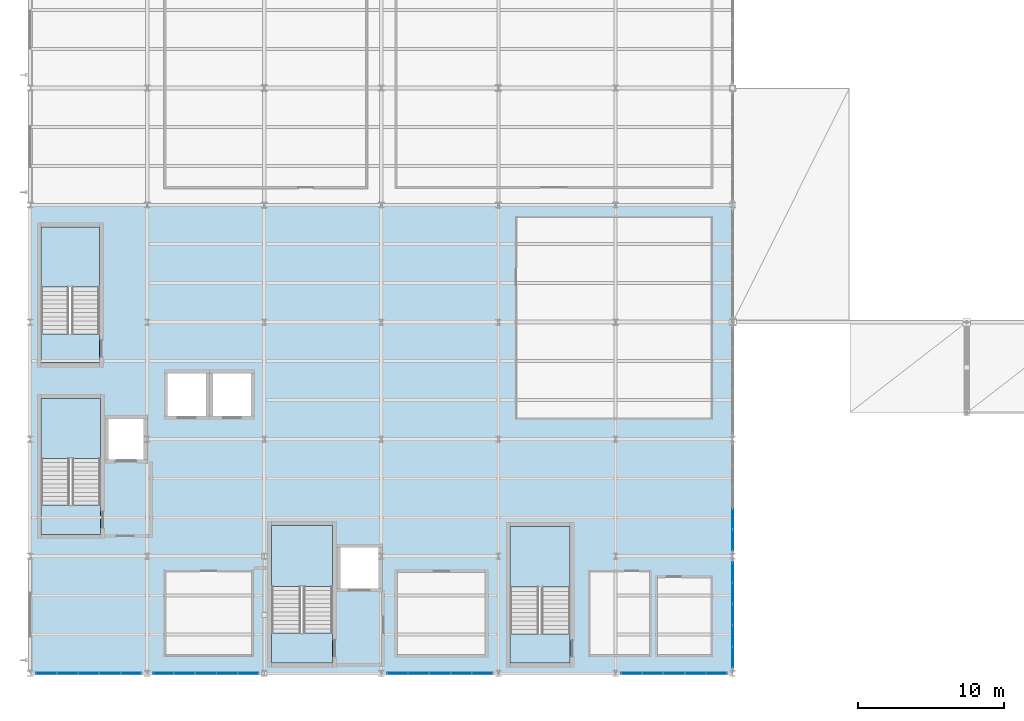
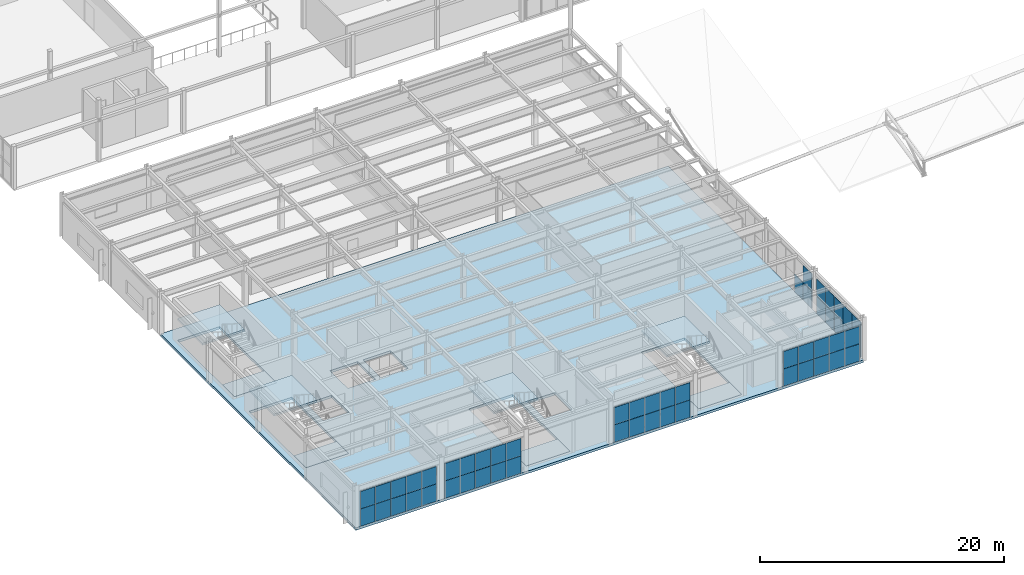
# One storey, part 46 of 83: 53 plates, 9 slabs, 10 elements without a shape of their own.
"""IFC4 building model written with IfcOpenShell, lengths in metres."""

from ifc_helpers import new_model, si_unit, direction, frame, origin, origin_2d, place, context, subcontext, project, spatial, polyline, rectangle, outline, extrude, material, layer, layer_set, type_object, element, aggregate, save


model = new_model("IFC4")

# Units and contexts
model_context = context("Model", 3, precision=1e-05, world=origin(), true_north=direction((0.0, 1.0)))
body_context = subcontext(model_context, "Body", "Model", "MODEL_VIEW")
ifc_project = project(units=[si_unit("LENGTHUNIT", "METRE"), si_unit("AREAUNIT", "SQUARE_METRE"), si_unit("VOLUMEUNIT", "CUBIC_METRE"), si_unit("PLANEANGLEUNIT", "RADIAN"), si_unit("MASSUNIT", "GRAM", prefix="KILO")], contexts=[model_context])

# Site, building, storey
site_placement = place(None, origin())
site = spatial("IfcSite", under=ifc_project, at=site_placement, CompositionType="ELEMENT")
building_placement = place(site_placement, origin())
building = spatial("IfcBuilding", under=site, at=building_placement, Name="Drelvath Fold Interchange", CompositionType="ELEMENT")
storey_placement = place(building_placement, frame((0.0, 0.0, 11.199951171875)))
storey = spatial("IfcBuildingStorey", under=building, at=storey_placement, Name="L02", CompositionType="ELEMENT", Elevation=11.199951171875)

# Curtain wall, plates
ifc_material_1 = material(Name="Anodized Aluminium 6063-T6", Category="aluminium")
curtain_wall_type = type_object("IfcCurtainWallType", Name="CW-OPS-UPP", PredefinedType="USERDEFINED", material=ifc_material_1)
curtain_wall_1_placement = place(storey_placement, origin())
curtain_wall_1 = element("IfcCurtainWall", 1, at=curtain_wall_1_placement, inside=storey, type_object=curtain_wall_type, Name="Curtain wall CW-V5-L02-S4", ObjectType="UNITISED CURTAIN WALL", PredefinedType="USERDEFINED")
ifc_material_2 = material(Name="Low-Iron Insulated Laminated Glass", Category="glass")
ifc_layer_1 = layer(ifc_material_2, 0.068115234375, Name="Low-Iron Insulated Laminated Glass")
ifc_layer_set_1 = layer_set([ifc_layer_1], Name="Low-Iron Insulated Laminated Glass")
plate_type = type_object("IfcPlateType", Name="CP-OPS-A", PredefinedType="CURTAIN_PANEL", material=ifc_layer_set_1)
plate_1_placement = place(storey_placement, frame((5.10791015625, 3.0, 0.03955078125), z_axis=(0.0, 0.0, 1.0), x_axis=(1.0, 0.0, 0.0)))
plate_1 = element("IfcPlate", 2, at=plate_1_placement, type_object=plate_type, Name="CW-V5-L02-S4 glazed panel 0-0", PredefinedType="CURTAIN_PANEL", context=body_context, shape_type="SweptSolid", body=[
    extrude(rectangle(XDim=1.39599609375, YDim=0.068115234375, at=origin_2d()), origin(), (0.0, 0.0, 1.0), 1.72509765625),
])
plate_2_placement = place(storey_placement, frame((5.10791015625, 3.0, 1.785400390625), z_axis=(0.0, 0.0, 1.0), x_axis=(1.0, 0.0, 0.0)))
plate_2 = element("IfcPlate", 3, at=plate_2_placement, type_object=plate_type, Name="CW-V5-L02-S4 glazed panel 0-1", PredefinedType="CURTAIN_PANEL", context=body_context, shape_type="SweptSolid", body=[
    extrude(rectangle(XDim=1.39599609375, YDim=0.068115234375, at=origin_2d()), origin(), (0.0, 0.0, 1.0), 1.72509765625),
])
plate_3_placement = place(storey_placement, frame((6.5439453125, 3.0, 0.03955078125), z_axis=(0.0, 0.0, 1.0), x_axis=(1.0, 0.0, 0.0)))
plate_3 = element("IfcPlate", 4, at=plate_3_placement, type_object=plate_type, Name="CW-V5-L02-S4 glazed panel 1-0", PredefinedType="CURTAIN_PANEL", context=body_context, shape_type="SweptSolid", body=[
    extrude(rectangle(XDim=1.43603515625, YDim=0.068115234375, at=origin_2d()), origin(), (0.0, 0.0, 1.0), 1.72509765625),
])
plate_4_placement = place(storey_placement, frame((6.5439453125, 3.0, 1.785400390625), z_axis=(0.0, 0.0, 1.0), x_axis=(1.0, 0.0, 0.0)))
plate_4 = element("IfcPlate", 5, at=plate_4_placement, type_object=plate_type, Name="CW-V5-L02-S4 glazed panel 1-1", PredefinedType="CURTAIN_PANEL", context=body_context, shape_type="SweptSolid", body=[
    extrude(rectangle(XDim=1.43603515625, YDim=0.068115234375, at=origin_2d()), origin(), (0.0, 0.0, 1.0), 1.72509765625),
])
plate_5_placement = place(storey_placement, frame((8.0, 3.0, 0.03955078125), z_axis=(0.0, 0.0, 1.0), x_axis=(1.0, 0.0, 0.0)))
plate_5 = element("IfcPlate", 6, at=plate_5_placement, type_object=plate_type, Name="CW-V5-L02-S4 glazed panel 2-0", PredefinedType="CURTAIN_PANEL", context=body_context, shape_type="SweptSolid", body=[
    extrude(rectangle(XDim=1.43603515625, YDim=0.068115234375, at=origin_2d()), origin(), (0.0, 0.0, 1.0), 1.72509765625),
])
plate_6_placement = place(storey_placement, frame((8.0, 3.0, 1.785400390625), z_axis=(0.0, 0.0, 1.0), x_axis=(1.0, 0.0, 0.0)))
plate_6 = element("IfcPlate", 7, at=plate_6_placement, type_object=plate_type, Name="CW-V5-L02-S4 glazed panel 2-1", PredefinedType="CURTAIN_PANEL", context=body_context, shape_type="SweptSolid", body=[
    extrude(rectangle(XDim=1.43603515625, YDim=0.068115234375, at=origin_2d()), origin(), (0.0, 0.0, 1.0), 1.72509765625),
])
plate_7_placement = place(storey_placement, frame((9.4560546875, 3.0, 0.03955078125), z_axis=(0.0, 0.0, 1.0), x_axis=(1.0, 0.0, 0.0)))
plate_7 = element("IfcPlate", 8, at=plate_7_placement, type_object=plate_type, Name="CW-V5-L02-S4 glazed panel 3-0", PredefinedType="CURTAIN_PANEL", context=body_context, shape_type="SweptSolid", body=[
    extrude(rectangle(XDim=1.43603515625, YDim=0.068115234375, at=origin_2d()), origin(), (0.0, 0.0, 1.0), 1.72509765625),
])
plate_8_placement = place(storey_placement, frame((9.4560546875, 3.0, 1.785400390625), z_axis=(0.0, 0.0, 1.0), x_axis=(1.0, 0.0, 0.0)))
plate_8 = element("IfcPlate", 9, at=plate_8_placement, type_object=plate_type, Name="CW-V5-L02-S4 glazed panel 3-1", PredefinedType="CURTAIN_PANEL", context=body_context, shape_type="SweptSolid", body=[
    extrude(rectangle(XDim=1.43603515625, YDim=0.068115234375, at=origin_2d()), origin(), (0.0, 0.0, 1.0), 1.72509765625),
])
plate_9_placement = place(storey_placement, frame((10.89208984375, 3.0, 0.03955078125), z_axis=(0.0, 0.0, 1.0), x_axis=(1.0, 0.0, 0.0)))
plate_9 = element("IfcPlate", 10, at=plate_9_placement, type_object=plate_type, Name="CW-V5-L02-S4 glazed panel 4-0", PredefinedType="CURTAIN_PANEL", context=body_context, shape_type="SweptSolid", body=[
    extrude(rectangle(XDim=1.39599609375, YDim=0.068115234375, at=origin_2d()), origin(), (0.0, 0.0, 1.0), 1.72509765625),
])
plate_10_placement = place(storey_placement, frame((10.89208984375, 3.0, 1.785400390625), z_axis=(0.0, 0.0, 1.0), x_axis=(1.0, 0.0, 0.0)))
plate_10 = element("IfcPlate", 11, at=plate_10_placement, type_object=plate_type, Name="CW-V5-L02-S4 glazed panel 4-1", PredefinedType="CURTAIN_PANEL", context=body_context, shape_type="SweptSolid", body=[
    extrude(rectangle(XDim=1.39599609375, YDim=0.068115234375, at=origin_2d()), origin(), (0.0, 0.0, 1.0), 1.72509765625),
])
aggregate(curtain_wall_1, [plate_1, plate_2, plate_3, plate_4, plate_5, plate_6, plate_7, plate_8, plate_9, plate_10])

curtain_wall_2_placement = place(storey_placement, origin())
curtain_wall_2 = element("IfcCurtainWall", 12, at=curtain_wall_2_placement, inside=storey, type_object=curtain_wall_type, Name="Curtain wall CW-V5-L02-S12", ObjectType="UNITISED CURTAIN WALL", PredefinedType="USERDEFINED")
plate_11_placement = place(storey_placement, frame((13.10791015625, 3.0, 0.03955078125), z_axis=(0.0, 0.0, 1.0), x_axis=(1.0, 0.0, 0.0)))
plate_11 = element("IfcPlate", 13, at=plate_11_placement, type_object=plate_type, Name="CW-V5-L02-S12 glazed panel 0-0", PredefinedType="CURTAIN_PANEL", context=body_context, shape_type="SweptSolid", body=[
    extrude(rectangle(XDim=1.39599609375, YDim=0.068115234375, at=origin_2d()), origin(), (0.0, 0.0, 1.0), 1.72509765625),
])
plate_12_placement = place(storey_placement, frame((13.10791015625, 3.0, 1.785400390625), z_axis=(0.0, 0.0, 1.0), x_axis=(1.0, 0.0, 0.0)))
plate_12 = element("IfcPlate", 14, at=plate_12_placement, type_object=plate_type, Name="CW-V5-L02-S12 glazed panel 0-1", PredefinedType="CURTAIN_PANEL", context=body_context, shape_type="SweptSolid", body=[
    extrude(rectangle(XDim=1.39599609375, YDim=0.068115234375, at=origin_2d()), origin(), (0.0, 0.0, 1.0), 1.72509765625),
])
plate_13_placement = place(storey_placement, frame((14.5439453125, 3.0, 0.03955078125), z_axis=(0.0, 0.0, 1.0), x_axis=(1.0, 0.0, 0.0)))
plate_13 = element("IfcPlate", 15, at=plate_13_placement, type_object=plate_type, Name="CW-V5-L02-S12 glazed panel 1-0", PredefinedType="CURTAIN_PANEL", context=body_context, shape_type="SweptSolid", body=[
    extrude(rectangle(XDim=1.43603515625, YDim=0.068115234375, at=origin_2d()), origin(), (0.0, 0.0, 1.0), 1.72509765625),
])
plate_14_placement = place(storey_placement, frame((14.5439453125, 3.0, 1.785400390625), z_axis=(0.0, 0.0, 1.0), x_axis=(1.0, 0.0, 0.0)))
plate_14 = element("IfcPlate", 16, at=plate_14_placement, type_object=plate_type, Name="CW-V5-L02-S12 glazed panel 1-1", PredefinedType="CURTAIN_PANEL", context=body_context, shape_type="SweptSolid", body=[
    extrude(rectangle(XDim=1.43603515625, YDim=0.068115234375, at=origin_2d()), origin(), (0.0, 0.0, 1.0), 1.72509765625),
])
plate_15_placement = place(storey_placement, frame((16.0, 3.0, 0.03955078125), z_axis=(0.0, 0.0, 1.0), x_axis=(1.0, 0.0, 0.0)))
plate_15 = element("IfcPlate", 17, at=plate_15_placement, type_object=plate_type, Name="CW-V5-L02-S12 glazed panel 2-0", PredefinedType="CURTAIN_PANEL", context=body_context, shape_type="SweptSolid", body=[
    extrude(rectangle(XDim=1.43603515625, YDim=0.068115234375, at=origin_2d()), origin(), (0.0, 0.0, 1.0), 1.72509765625),
])
plate_16_placement = place(storey_placement, frame((16.0, 3.0, 1.785400390625), z_axis=(0.0, 0.0, 1.0), x_axis=(1.0, 0.0, 0.0)))
plate_16 = element("IfcPlate", 18, at=plate_16_placement, type_object=plate_type, Name="CW-V5-L02-S12 glazed panel 2-1", PredefinedType="CURTAIN_PANEL", context=body_context, shape_type="SweptSolid", body=[
    extrude(rectangle(XDim=1.43603515625, YDim=0.068115234375, at=origin_2d()), origin(), (0.0, 0.0, 1.0), 1.72509765625),
])
plate_17_placement = place(storey_placement, frame((17.4560546875, 3.0, 0.03955078125), z_axis=(0.0, 0.0, 1.0), x_axis=(1.0, 0.0, 0.0)))
plate_17 = element("IfcPlate", 19, at=plate_17_placement, type_object=plate_type, Name="CW-V5-L02-S12 glazed panel 3-0", PredefinedType="CURTAIN_PANEL", context=body_context, shape_type="SweptSolid", body=[
    extrude(rectangle(XDim=1.43603515625, YDim=0.068115234375, at=origin_2d()), origin(), (0.0, 0.0, 1.0), 1.72509765625),
])
plate_18_placement = place(storey_placement, frame((17.4560546875, 3.0, 1.785400390625), z_axis=(0.0, 0.0, 1.0), x_axis=(1.0, 0.0, 0.0)))
plate_18 = element("IfcPlate", 20, at=plate_18_placement, type_object=plate_type, Name="CW-V5-L02-S12 glazed panel 3-1", PredefinedType="CURTAIN_PANEL", context=body_context, shape_type="SweptSolid", body=[
    extrude(rectangle(XDim=1.43603515625, YDim=0.068115234375, at=origin_2d()), origin(), (0.0, 0.0, 1.0), 1.72509765625),
])
plate_19_placement = place(storey_placement, frame((18.89208984375, 3.0, 0.03955078125), z_axis=(0.0, 0.0, 1.0), x_axis=(1.0, 0.0, 0.0)))
plate_19 = element("IfcPlate", 21, at=plate_19_placement, type_object=plate_type, Name="CW-V5-L02-S12 glazed panel 4-0", PredefinedType="CURTAIN_PANEL", context=body_context, shape_type="SweptSolid", body=[
    extrude(rectangle(XDim=1.39599609375, YDim=0.068115234375, at=origin_2d()), origin(), (0.0, 0.0, 1.0), 1.72509765625),
])
plate_20_placement = place(storey_placement, frame((18.89208984375, 3.0, 1.785400390625), z_axis=(0.0, 0.0, 1.0), x_axis=(1.0, 0.0, 0.0)))
plate_20 = element("IfcPlate", 22, at=plate_20_placement, type_object=plate_type, Name="CW-V5-L02-S12 glazed panel 4-1", PredefinedType="CURTAIN_PANEL", context=body_context, shape_type="SweptSolid", body=[
    extrude(rectangle(XDim=1.39599609375, YDim=0.068115234375, at=origin_2d()), origin(), (0.0, 0.0, 1.0), 1.72509765625),
])
aggregate(curtain_wall_2, [plate_11, plate_12, plate_13, plate_14, plate_15, plate_16, plate_17, plate_18, plate_19, plate_20])

curtain_wall_3_placement = place(storey_placement, origin())
curtain_wall_3 = element("IfcCurtainWall", 23, at=curtain_wall_3_placement, inside=storey, type_object=curtain_wall_type, Name="Curtain wall CW-V5-L02-S28", ObjectType="UNITISED CURTAIN WALL", PredefinedType="USERDEFINED")
plate_21_placement = place(storey_placement, frame((29.10791015625, 3.0, 0.03955078125), z_axis=(0.0, 0.0, 1.0), x_axis=(1.0, 0.0, 0.0)))
plate_21 = element("IfcPlate", 24, at=plate_21_placement, type_object=plate_type, Name="CW-V5-L02-S28 glazed panel 0-0", PredefinedType="CURTAIN_PANEL", context=body_context, shape_type="SweptSolid", body=[
    extrude(rectangle(XDim=1.39599609375, YDim=0.068115234375, at=origin_2d()), origin(), (0.0, 0.0, 1.0), 1.72509765625),
])
plate_22_placement = place(storey_placement, frame((29.10791015625, 3.0, 1.785400390625), z_axis=(0.0, 0.0, 1.0), x_axis=(1.0, 0.0, 0.0)))
plate_22 = element("IfcPlate", 25, at=plate_22_placement, type_object=plate_type, Name="CW-V5-L02-S28 glazed panel 0-1", PredefinedType="CURTAIN_PANEL", context=body_context, shape_type="SweptSolid", body=[
    extrude(rectangle(XDim=1.39599609375, YDim=0.068115234375, at=origin_2d()), origin(), (0.0, 0.0, 1.0), 1.72509765625),
])
plate_23_placement = place(storey_placement, frame((30.5439453125, 3.0, 0.03955078125), z_axis=(0.0, 0.0, 1.0), x_axis=(1.0, 0.0, 0.0)))
plate_23 = element("IfcPlate", 26, at=plate_23_placement, type_object=plate_type, Name="CW-V5-L02-S28 glazed panel 1-0", PredefinedType="CURTAIN_PANEL", context=body_context, shape_type="SweptSolid", body=[
    extrude(rectangle(XDim=1.43603515625, YDim=0.068115234375, at=origin_2d()), origin(), (0.0, 0.0, 1.0), 1.72509765625),
])
plate_24_placement = place(storey_placement, frame((30.5439453125, 3.0, 1.785400390625), z_axis=(0.0, 0.0, 1.0), x_axis=(1.0, 0.0, 0.0)))
plate_24 = element("IfcPlate", 27, at=plate_24_placement, type_object=plate_type, Name="CW-V5-L02-S28 glazed panel 1-1", PredefinedType="CURTAIN_PANEL", context=body_context, shape_type="SweptSolid", body=[
    extrude(rectangle(XDim=1.43603515625, YDim=0.068115234375, at=origin_2d()), origin(), (0.0, 0.0, 1.0), 1.72509765625),
])
plate_25_placement = place(storey_placement, frame((32.0, 3.0, 0.03955078125), z_axis=(0.0, 0.0, 1.0), x_axis=(1.0, 0.0, 0.0)))
plate_25 = element("IfcPlate", 28, at=plate_25_placement, type_object=plate_type, Name="CW-V5-L02-S28 glazed panel 2-0", PredefinedType="CURTAIN_PANEL", context=body_context, shape_type="SweptSolid", body=[
    extrude(rectangle(XDim=1.43603515625, YDim=0.068115234375, at=origin_2d()), origin(), (0.0, 0.0, 1.0), 1.72509765625),
])
plate_26_placement = place(storey_placement, frame((32.0, 3.0, 1.785400390625), z_axis=(0.0, 0.0, 1.0), x_axis=(1.0, 0.0, 0.0)))
plate_26 = element("IfcPlate", 29, at=plate_26_placement, type_object=plate_type, Name="CW-V5-L02-S28 glazed panel 2-1", PredefinedType="CURTAIN_PANEL", context=body_context, shape_type="SweptSolid", body=[
    extrude(rectangle(XDim=1.43603515625, YDim=0.068115234375, at=origin_2d()), origin(), (0.0, 0.0, 1.0), 1.72509765625),
])
plate_27_placement = place(storey_placement, frame((33.4560546875, 3.0, 0.03955078125), z_axis=(0.0, 0.0, 1.0), x_axis=(1.0, 0.0, 0.0)))
plate_27 = element("IfcPlate", 30, at=plate_27_placement, type_object=plate_type, Name="CW-V5-L02-S28 glazed panel 3-0", PredefinedType="CURTAIN_PANEL", context=body_context, shape_type="SweptSolid", body=[
    extrude(rectangle(XDim=1.43603515625, YDim=0.068115234375, at=origin_2d()), origin(), (0.0, 0.0, 1.0), 1.72509765625),
])
plate_28_placement = place(storey_placement, frame((33.4560546875, 3.0, 1.785400390625), z_axis=(0.0, 0.0, 1.0), x_axis=(1.0, 0.0, 0.0)))
plate_28 = element("IfcPlate", 31, at=plate_28_placement, type_object=plate_type, Name="CW-V5-L02-S28 glazed panel 3-1", PredefinedType="CURTAIN_PANEL", context=body_context, shape_type="SweptSolid", body=[
    extrude(rectangle(XDim=1.43603515625, YDim=0.068115234375, at=origin_2d()), origin(), (0.0, 0.0, 1.0), 1.72509765625),
])
plate_29_placement = place(storey_placement, frame((34.89208984375, 3.0, 0.03955078125), z_axis=(0.0, 0.0, 1.0), x_axis=(1.0, 0.0, 0.0)))
plate_29 = element("IfcPlate", 32, at=plate_29_placement, type_object=plate_type, Name="CW-V5-L02-S28 glazed panel 4-0", PredefinedType="CURTAIN_PANEL", context=body_context, shape_type="SweptSolid", body=[
    extrude(rectangle(XDim=1.39599609375, YDim=0.068115234375, at=origin_2d()), origin(), (0.0, 0.0, 1.0), 1.72509765625),
])
plate_30_placement = place(storey_placement, frame((34.89208984375, 3.0, 1.785400390625), z_axis=(0.0, 0.0, 1.0), x_axis=(1.0, 0.0, 0.0)))
plate_30 = element("IfcPlate", 33, at=plate_30_placement, type_object=plate_type, Name="CW-V5-L02-S28 glazed panel 4-1", PredefinedType="CURTAIN_PANEL", context=body_context, shape_type="SweptSolid", body=[
    extrude(rectangle(XDim=1.39599609375, YDim=0.068115234375, at=origin_2d()), origin(), (0.0, 0.0, 1.0), 1.72509765625),
])
aggregate(curtain_wall_3, [plate_21, plate_22, plate_23, plate_24, plate_25, plate_26, plate_27, plate_28, plate_29, plate_30])

curtain_wall_4_placement = place(storey_placement, origin())
curtain_wall_4 = element("IfcCurtainWall", 34, at=curtain_wall_4_placement, inside=storey, type_object=curtain_wall_type, Name="Curtain wall CW-V5-L02-S44", ObjectType="UNITISED CURTAIN WALL", PredefinedType="USERDEFINED")
plate_31_placement = place(storey_placement, frame((45.10791015625, 3.0, 0.03955078125), z_axis=(0.0, 0.0, 1.0), x_axis=(1.0, 0.0, 0.0)))
plate_31 = element("IfcPlate", 35, at=plate_31_placement, type_object=plate_type, Name="CW-V5-L02-S44 glazed panel 0-0", PredefinedType="CURTAIN_PANEL", context=body_context, shape_type="SweptSolid", body=[
    extrude(rectangle(XDim=1.39599609375, YDim=0.068115234375, at=origin_2d()), origin(), (0.0, 0.0, 1.0), 1.72509765625),
])
plate_32_placement = place(storey_placement, frame((45.10791015625, 3.0, 1.785400390625), z_axis=(0.0, 0.0, 1.0), x_axis=(1.0, 0.0, 0.0)))
plate_32 = element("IfcPlate", 36, at=plate_32_placement, type_object=plate_type, Name="CW-V5-L02-S44 glazed panel 0-1", PredefinedType="CURTAIN_PANEL", context=body_context, shape_type="SweptSolid", body=[
    extrude(rectangle(XDim=1.39599609375, YDim=0.068115234375, at=origin_2d()), origin(), (0.0, 0.0, 1.0), 1.72509765625),
])
plate_33_placement = place(storey_placement, frame((46.5439453125, 3.0, 0.03955078125), z_axis=(0.0, 0.0, 1.0), x_axis=(1.0, 0.0, 0.0)))
plate_33 = element("IfcPlate", 37, at=plate_33_placement, type_object=plate_type, Name="CW-V5-L02-S44 glazed panel 1-0", PredefinedType="CURTAIN_PANEL", context=body_context, shape_type="SweptSolid", body=[
    extrude(rectangle(XDim=1.43603515625, YDim=0.068115234375, at=origin_2d()), origin(), (0.0, 0.0, 1.0), 1.72509765625),
])
plate_34_placement = place(storey_placement, frame((46.5439453125, 3.0, 1.785400390625), z_axis=(0.0, 0.0, 1.0), x_axis=(1.0, 0.0, 0.0)))
plate_34 = element("IfcPlate", 38, at=plate_34_placement, type_object=plate_type, Name="CW-V5-L02-S44 glazed panel 1-1", PredefinedType="CURTAIN_PANEL", context=body_context, shape_type="SweptSolid", body=[
    extrude(rectangle(XDim=1.43603515625, YDim=0.068115234375, at=origin_2d()), origin(), (0.0, 0.0, 1.0), 1.72509765625),
])
plate_35_placement = place(storey_placement, frame((48.0, 3.0, 0.03955078125), z_axis=(0.0, 0.0, 1.0), x_axis=(1.0, 0.0, 0.0)))
plate_35 = element("IfcPlate", 39, at=plate_35_placement, type_object=plate_type, Name="CW-V5-L02-S44 glazed panel 2-0", PredefinedType="CURTAIN_PANEL", context=body_context, shape_type="SweptSolid", body=[
    extrude(rectangle(XDim=1.43603515625, YDim=0.068115234375, at=origin_2d()), origin(), (0.0, 0.0, 1.0), 1.72509765625),
])
plate_36_placement = place(storey_placement, frame((48.0, 3.0, 1.785400390625), z_axis=(0.0, 0.0, 1.0), x_axis=(1.0, 0.0, 0.0)))
plate_36 = element("IfcPlate", 40, at=plate_36_placement, type_object=plate_type, Name="CW-V5-L02-S44 glazed panel 2-1", PredefinedType="CURTAIN_PANEL", context=body_context, shape_type="SweptSolid", body=[
    extrude(rectangle(XDim=1.43603515625, YDim=0.068115234375, at=origin_2d()), origin(), (0.0, 0.0, 1.0), 1.72509765625),
])
plate_37_placement = place(storey_placement, frame((49.4560546875, 3.0, 0.03955078125), z_axis=(0.0, 0.0, 1.0), x_axis=(1.0, 0.0, 0.0)))
plate_37 = element("IfcPlate", 41, at=plate_37_placement, type_object=plate_type, Name="CW-V5-L02-S44 glazed panel 3-0", PredefinedType="CURTAIN_PANEL", context=body_context, shape_type="SweptSolid", body=[
    extrude(rectangle(XDim=1.43603515625, YDim=0.068115234375, at=origin_2d()), origin(), (0.0, 0.0, 1.0), 1.72509765625),
])
plate_38_placement = place(storey_placement, frame((49.4560546875, 3.0, 1.785400390625), z_axis=(0.0, 0.0, 1.0), x_axis=(1.0, 0.0, 0.0)))
plate_38 = element("IfcPlate", 42, at=plate_38_placement, type_object=plate_type, Name="CW-V5-L02-S44 glazed panel 3-1", PredefinedType="CURTAIN_PANEL", context=body_context, shape_type="SweptSolid", body=[
    extrude(rectangle(XDim=1.43603515625, YDim=0.068115234375, at=origin_2d()), origin(), (0.0, 0.0, 1.0), 1.72509765625),
])
plate_39_placement = place(storey_placement, frame((50.89208984375, 3.0, 0.03955078125), z_axis=(0.0, 0.0, 1.0), x_axis=(1.0, 0.0, 0.0)))
plate_39 = element("IfcPlate", 43, at=plate_39_placement, type_object=plate_type, Name="CW-V5-L02-S44 glazed panel 4-0", PredefinedType="CURTAIN_PANEL", context=body_context, shape_type="SweptSolid", body=[
    extrude(rectangle(XDim=1.39599609375, YDim=0.068115234375, at=origin_2d()), origin(), (0.0, 0.0, 1.0), 1.72509765625),
])
plate_40_placement = place(storey_placement, frame((50.89208984375, 3.0, 1.785400390625), z_axis=(0.0, 0.0, 1.0), x_axis=(1.0, 0.0, 0.0)))
plate_40 = element("IfcPlate", 44, at=plate_40_placement, type_object=plate_type, Name="CW-V5-L02-S44 glazed panel 4-1", PredefinedType="CURTAIN_PANEL", context=body_context, shape_type="SweptSolid", body=[
    extrude(rectangle(XDim=1.39599609375, YDim=0.068115234375, at=origin_2d()), origin(), (0.0, 0.0, 1.0), 1.72509765625),
])
aggregate(curtain_wall_4, [plate_31, plate_32, plate_33, plate_34, plate_35, plate_36, plate_37, plate_38, plate_39, plate_40])

curtain_wall_5_placement = place(storey_placement, origin())
curtain_wall_5 = element("IfcCurtainWall", 45, at=curtain_wall_5_placement, inside=storey, type_object=curtain_wall_type, Name="Curtain wall CW-V5-L02-E3", ObjectType="UNITISED CURTAIN WALL", PredefinedType="USERDEFINED")
plate_41_placement = place(storey_placement, frame((52.0, 4.10791015625, 0.03955078125), z_axis=(0.0, 0.0, 1.0), x_axis=(0.0, 1.0, 0.0)))
plate_41 = element("IfcPlate", 46, at=plate_41_placement, type_object=plate_type, Name="CW-V5-L02-E3 glazed panel 0-0", PredefinedType="CURTAIN_PANEL", context=body_context, shape_type="SweptSolid", body=[
    extrude(rectangle(XDim=1.39599609375, YDim=0.068115234375, at=origin_2d()), origin(), (0.0, 0.0, 1.0), 1.72509765625),
])
plate_42_placement = place(storey_placement, frame((52.0, 4.10791015625, 1.785400390625), z_axis=(0.0, 0.0, 1.0), x_axis=(0.0, 1.0, 0.0)))
plate_42 = element("IfcPlate", 47, at=plate_42_placement, type_object=plate_type, Name="CW-V5-L02-E3 glazed panel 0-1", PredefinedType="CURTAIN_PANEL", context=body_context, shape_type="SweptSolid", body=[
    extrude(rectangle(XDim=1.39599609375, YDim=0.068115234375, at=origin_2d()), origin(), (0.0, 0.0, 1.0), 1.72509765625),
])
plate_43_placement = place(storey_placement, frame((52.0, 5.5439453125, 0.03955078125), z_axis=(0.0, 0.0, 1.0), x_axis=(0.0, 1.0, 0.0)))
plate_43 = element("IfcPlate", 48, at=plate_43_placement, type_object=plate_type, Name="CW-V5-L02-E3 glazed panel 1-0", PredefinedType="CURTAIN_PANEL", context=body_context, shape_type="SweptSolid", body=[
    extrude(rectangle(XDim=1.43603515625, YDim=0.068115234375, at=origin_2d()), origin(), (0.0, 0.0, 1.0), 1.72509765625),
])
plate_44_placement = place(storey_placement, frame((52.0, 5.5439453125, 1.785400390625), z_axis=(0.0, 0.0, 1.0), x_axis=(0.0, 1.0, 0.0)))
plate_44 = element("IfcPlate", 49, at=plate_44_placement, type_object=plate_type, Name="CW-V5-L02-E3 glazed panel 1-1", PredefinedType="CURTAIN_PANEL", context=body_context, shape_type="SweptSolid", body=[
    extrude(rectangle(XDim=1.43603515625, YDim=0.068115234375, at=origin_2d()), origin(), (0.0, 0.0, 1.0), 1.72509765625),
])
plate_45_placement = place(storey_placement, frame((52.0, 7.0, 0.03955078125), z_axis=(0.0, 0.0, 1.0), x_axis=(0.0, 1.0, 0.0)))
plate_45 = element("IfcPlate", 50, at=plate_45_placement, type_object=plate_type, Name="CW-V5-L02-E3 glazed panel 2-0", PredefinedType="CURTAIN_PANEL", context=body_context, shape_type="SweptSolid", body=[
    extrude(rectangle(XDim=1.43603515625, YDim=0.068115234375, at=origin_2d()), origin(), (0.0, 0.0, 1.0), 1.72509765625),
])
plate_46_placement = place(storey_placement, frame((52.0, 7.0, 1.785400390625), z_axis=(0.0, 0.0, 1.0), x_axis=(0.0, 1.0, 0.0)))
plate_46 = element("IfcPlate", 51, at=plate_46_placement, type_object=plate_type, Name="CW-V5-L02-E3 glazed panel 2-1", PredefinedType="CURTAIN_PANEL", context=body_context, shape_type="SweptSolid", body=[
    extrude(rectangle(XDim=1.43603515625, YDim=0.068115234375, at=origin_2d()), origin(), (0.0, 0.0, 1.0), 1.72509765625),
])
plate_47_placement = place(storey_placement, frame((52.0, 8.4560546875, 0.03955078125), z_axis=(0.0, 0.0, 1.0), x_axis=(0.0, 1.0, 0.0)))
plate_47 = element("IfcPlate", 52, at=plate_47_placement, type_object=plate_type, Name="CW-V5-L02-E3 glazed panel 3-0", PredefinedType="CURTAIN_PANEL", context=body_context, shape_type="SweptSolid", body=[
    extrude(rectangle(XDim=1.43603515625, YDim=0.068115234375, at=origin_2d()), origin(), (0.0, 0.0, 1.0), 1.72509765625),
])
plate_48_placement = place(storey_placement, frame((52.0, 8.4560546875, 1.785400390625), z_axis=(0.0, 0.0, 1.0), x_axis=(0.0, 1.0, 0.0)))
plate_48 = element("IfcPlate", 53, at=plate_48_placement, type_object=plate_type, Name="CW-V5-L02-E3 glazed panel 3-1", PredefinedType="CURTAIN_PANEL", context=body_context, shape_type="SweptSolid", body=[
    extrude(rectangle(XDim=1.43603515625, YDim=0.068115234375, at=origin_2d()), origin(), (0.0, 0.0, 1.0), 1.72509765625),
])
plate_49_placement = place(storey_placement, frame((52.0, 9.89208984375, 0.03955078125), z_axis=(0.0, 0.0, 1.0), x_axis=(0.0, 1.0, 0.0)))
plate_49 = element("IfcPlate", 54, at=plate_49_placement, type_object=plate_type, Name="CW-V5-L02-E3 glazed panel 4-0", PredefinedType="CURTAIN_PANEL", context=body_context, shape_type="SweptSolid", body=[
    extrude(rectangle(XDim=1.39599609375, YDim=0.068115234375, at=origin_2d()), origin(), (0.0, 0.0, 1.0), 1.72509765625),
])
plate_50_placement = place(storey_placement, frame((52.0, 9.89208984375, 1.785400390625), z_axis=(0.0, 0.0, 1.0), x_axis=(0.0, 1.0, 0.0)))
plate_50 = element("IfcPlate", 55, at=plate_50_placement, type_object=plate_type, Name="CW-V5-L02-E3 glazed panel 4-1", PredefinedType="CURTAIN_PANEL", context=body_context, shape_type="SweptSolid", body=[
    extrude(rectangle(XDim=1.39599609375, YDim=0.068115234375, at=origin_2d()), origin(), (0.0, 0.0, 1.0), 1.72509765625),
])
aggregate(curtain_wall_5, [plate_41, plate_42, plate_43, plate_44, plate_45, plate_46, plate_47, plate_48, plate_49, plate_50])

curtain_wall_6_placement = place(storey_placement, origin())
curtain_wall_6 = element("IfcCurtainWall", 56, at=curtain_wall_6_placement, inside=storey, type_object=curtain_wall_type, Name="Curtain wall CW-V5-L02-E11", ObjectType="UNITISED CURTAIN WALL", PredefinedType="USERDEFINED")
plate_51_placement = place(storey_placement, frame((52.0, 12.10791015625, 0.03955078125), z_axis=(0.0, 0.0, 1.0), x_axis=(0.0, 1.0, 0.0)))
plate_51 = element("IfcPlate", 57, at=plate_51_placement, type_object=plate_type, Name="CW-V5-L02-E11 glazed panel 0-0", PredefinedType="CURTAIN_PANEL", context=body_context, shape_type="SweptSolid", body=[
    extrude(rectangle(XDim=1.39599609375, YDim=0.068115234375, at=origin_2d()), origin(), (0.0, 0.0, 1.0), 1.72509765625),
])
plate_52_placement = place(storey_placement, frame((52.0, 12.10791015625, 1.785400390625), z_axis=(0.0, 0.0, 1.0), x_axis=(0.0, 1.0, 0.0)))
plate_52 = element("IfcPlate", 58, at=plate_52_placement, type_object=plate_type, Name="CW-V5-L02-E11 glazed panel 0-1", PredefinedType="CURTAIN_PANEL", context=body_context, shape_type="SweptSolid", body=[
    extrude(rectangle(XDim=1.39599609375, YDim=0.068115234375, at=origin_2d()), origin(), (0.0, 0.0, 1.0), 1.72509765625),
])
plate_53_placement = place(storey_placement, frame((52.0, 13.5439453125, 0.03955078125), z_axis=(0.0, 0.0, 1.0), x_axis=(0.0, 1.0, 0.0)))
plate_53 = element("IfcPlate", 59, at=plate_53_placement, type_object=plate_type, Name="CW-V5-L02-E11 glazed panel 1-0", PredefinedType="CURTAIN_PANEL", context=body_context, shape_type="SweptSolid", body=[
    extrude(rectangle(XDim=1.43603515625, YDim=0.068115234375, at=origin_2d()), origin(), (0.0, 0.0, 1.0), 1.72509765625),
])
aggregate(curtain_wall_6, [plate_51, plate_52, plate_53])

# Slabs
ifc_material_3 = material(Name="Concrete f'c 35 MPa (5000 psi)", Category="concrete")
ifc_layer_2 = layer(ifc_material_3, 0.25, Name="Concrete f'c 35 MPa (5000 psi)")
ifc_layer_set_2 = layer_set([ifc_layer_2], Name="Concrete f'c 35 MPa (5000 psi)")
slab_type_1 = type_object("IfcSlabType", Name="FS-UP2", PredefinedType="FLOOR", material=ifc_layer_set_2)
slab_1_placement = place(storey_placement, frame((0.0, 0.0, -0.25)))
element("IfcSlab", 60, at=slab_1_placement, inside=storey, type_object=slab_type_1, Name="L02 structural slab SL-L02-V5S", PredefinedType="FLOOR", context=body_context, shape_type="SweptSolid", body=[
    extrude(outline(polyline([(4.0, 3.0), (52.0, 3.0), (52.0, 35.0), (4.0, 35.0), (4.0, 3.0)]), holes=[polyline([(4.75, 12.5), (4.75, 21.800048828125), (8.81005859375, 21.800048828125), (8.81005859375, 12.5), (4.75, 12.5)]), polyline([(4.75, 24.199951171875), (4.75, 33.5), (8.72998046875, 33.5), (8.72998046875, 24.199951171875), (4.75, 24.199951171875)]), polyline([(20.5, 3.699951171875), (20.5, 13.10009765625), (24.659912109375, 13.10009765625), (24.659912109375, 3.699951171875), (20.5, 3.699951171875)]), polyline([(36.800048828125, 3.699951171875), (36.800048828125, 13.050048828125), (40.89990234375, 13.050048828125), (40.89990234375, 3.699951171875), (36.800048828125, 3.699951171875)]), polyline([(9.360107421875, 17.60009765625), (9.360107421875, 20.39990234375), (11.760009765625, 20.39990234375), (11.760009765625, 17.60009765625), (9.360107421875, 17.60009765625)]), polyline([(25.2099609375, 8.800048828125), (25.2099609375, 11.60009765625), (27.81005859375, 11.60009765625), (27.81005859375, 8.800048828125), (25.2099609375, 8.800048828125)]), polyline([(13.39990234375, 20.60009765625), (13.39990234375, 23.5), (16.0, 23.5), (16.0, 20.60009765625), (13.39990234375, 20.60009765625)]), polyline([(16.5, 20.60009765625), (16.5, 23.5), (19.10009765625, 23.5), (19.10009765625, 20.60009765625), (16.5, 20.60009765625)])]), origin(), (0.0, 0.0, 1.0), 0.25),
])
slab_2_placement = place(storey_placement, frame((0.0, 0.0, -0.25)))
element("IfcSlab", 61, at=slab_2_placement, inside=storey, type_object=slab_type_1, Name="ST-01 L02 stair floor landing slab", PredefinedType="FLOOR", context=body_context, shape_type="SweptSolid", body=[
    extrude(outline(polyline([(4.75, 12.5), (8.81005859375, 12.5), (8.81005859375, 14.5), (4.75, 14.5), (4.75, 12.5)])), origin(), (0.0, 0.0, 1.0), 0.25),
])
slab_3_placement = place(storey_placement, frame((0.0, 0.0, -0.25)))
element("IfcSlab", 62, at=slab_3_placement, inside=storey, type_object=slab_type_1, Name="ST-02 L02 stair floor landing slab", PredefinedType="FLOOR", context=body_context, shape_type="SweptSolid", body=[
    extrude(outline(polyline([(4.75, 24.199951171875), (8.72998046875, 24.199951171875), (8.72998046875, 26.199951171875), (4.75, 26.199951171875), (4.75, 24.199951171875)])), origin(), (0.0, 0.0, 1.0), 0.25),
])
slab_4_placement = place(storey_placement, frame((0.0, 0.0, -0.25)))
element("IfcSlab", 63, at=slab_4_placement, inside=storey, type_object=slab_type_1, Name="ST-03 L02 stair floor landing slab", PredefinedType="FLOOR", context=body_context, shape_type="SweptSolid", body=[
    extrude(outline(polyline([(20.5, 3.699951171875), (24.659912109375, 3.699951171875), (24.659912109375, 5.75), (20.5, 5.75), (20.5, 3.699951171875)])), origin(), (0.0, 0.0, 1.0), 0.25),
])
slab_5_placement = place(storey_placement, frame((0.0, 0.0, -0.25)))
element("IfcSlab", 64, at=slab_5_placement, inside=storey, type_object=slab_type_1, Name="ST-04 L02 stair floor landing slab", PredefinedType="FLOOR", context=body_context, shape_type="SweptSolid", body=[
    extrude(outline(polyline([(36.800048828125, 3.699951171875), (40.89990234375, 3.699951171875), (40.89990234375, 5.699951171875), (36.800048828125, 5.699951171875), (36.800048828125, 3.699951171875)])), origin(), (0.0, 0.0, 1.0), 0.25),
])

# Stair, slab
stair_type_1 = type_object("IfcStairType", Name="STR-01", PredefinedType="HALF_TURN_STAIR", material=ifc_material_3)
stair_1_placement = place(storey_placement, origin())
stair_1 = element("IfcStair", 65, at=stair_1_placement, inside=storey, type_object=stair_type_1, Name="L02 Protected Exit Stair ST-01", PredefinedType="HALF_TURN_STAIR")
ifc_layer_3 = layer(ifc_material_3, 0.199951171875, Name="Concrete f'c 35 MPa (5000 psi)")
ifc_layer_set_3 = layer_set([ifc_layer_3], Name="Concrete f'c 35 MPa (5000 psi)")
slab_type_2 = type_object("IfcSlabType", Name="SL-LND200", PredefinedType="LANDING", material=ifc_layer_set_3)
slab_6_placement = place(storey_placement, frame((0.0, 0.0, 2.0)))
slab_6 = element("IfcSlab", 66, at=slab_6_placement, type_object=slab_type_2, Name="ST-01 landing 1", PredefinedType="LANDING", context=body_context, shape_type="SweptSolid", body=[
    extrude(outline(polyline([(8.81005859375, 17.68994140625), (8.81005859375, 21.800048828125), (4.75, 21.800048828125), (4.75, 17.68994140625), (8.81005859375, 17.68994140625)])), origin(), (0.0, 0.0, 1.0), 0.199951171875),
])
aggregate(stair_1, [slab_6])

stair_type_2 = type_object("IfcStairType", Name="STR-02", PredefinedType="HALF_TURN_STAIR", material=ifc_material_3)
stair_2_placement = place(storey_placement, origin())
stair_2 = element("IfcStair", 67, at=stair_2_placement, inside=storey, type_object=stair_type_2, Name="L02 Protected Exit Stair ST-02", PredefinedType="HALF_TURN_STAIR")
slab_7_placement = place(storey_placement, frame((0.0, 0.0, 2.0)))
slab_7 = element("IfcSlab", 68, at=slab_7_placement, type_object=slab_type_2, Name="ST-02 landing 1", PredefinedType="LANDING", context=body_context, shape_type="SweptSolid", body=[
    extrude(outline(polyline([(8.72998046875, 29.389892578125), (8.72998046875, 33.5), (4.75, 33.5), (4.75, 29.389892578125), (8.72998046875, 29.389892578125)])), origin(), (0.0, 0.0, 1.0), 0.199951171875),
])
aggregate(stair_2, [slab_7])

stair_type_3 = type_object("IfcStairType", Name="STR-03", PredefinedType="HALF_TURN_STAIR", material=ifc_material_3)
stair_3_placement = place(storey_placement, origin())
stair_3 = element("IfcStair", 69, at=stair_3_placement, inside=storey, type_object=stair_type_3, Name="L02 Protected Exit Stair ST-03", PredefinedType="HALF_TURN_STAIR")
slab_8_placement = place(storey_placement, frame((0.0, 0.0, 2.0)))
slab_8 = element("IfcSlab", 70, at=slab_8_placement, type_object=slab_type_2, Name="ST-03 landing 1", PredefinedType="LANDING", context=body_context, shape_type="SweptSolid", body=[
    extrude(outline(polyline([(24.659912109375, 8.93994140625), (24.659912109375, 13.10009765625), (20.5, 13.10009765625), (20.5, 8.93994140625), (24.659912109375, 8.93994140625)])), origin(), (0.0, 0.0, 1.0), 0.199951171875),
])
aggregate(stair_3, [slab_8])

stair_type_4 = type_object("IfcStairType", Name="STR-04", PredefinedType="HALF_TURN_STAIR", material=ifc_material_3)
stair_4_placement = place(storey_placement, origin())
stair_4 = element("IfcStair", 71, at=stair_4_placement, inside=storey, type_object=stair_type_4, Name="L02 Protected Exit Stair ST-04", PredefinedType="HALF_TURN_STAIR")
slab_9_placement = place(storey_placement, frame((0.0, 0.0, 2.0)))
slab_9 = element("IfcSlab", 72, at=slab_9_placement, type_object=slab_type_2, Name="ST-04 landing 1", PredefinedType="LANDING", context=body_context, shape_type="SweptSolid", body=[
    extrude(outline(polyline([(40.89990234375, 8.889892578125), (40.89990234375, 13.050048828125), (36.800048828125, 13.050048828125), (36.800048828125, 8.889892578125), (40.89990234375, 8.889892578125)])), origin(), (0.0, 0.0, 1.0), 0.199951171875),
])
aggregate(stair_4, [slab_9])

save(model, "model.ifc")
